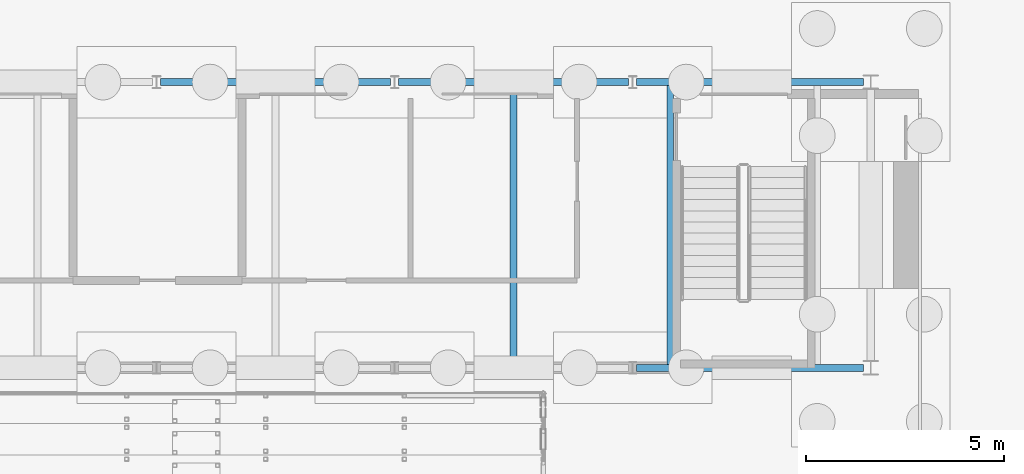
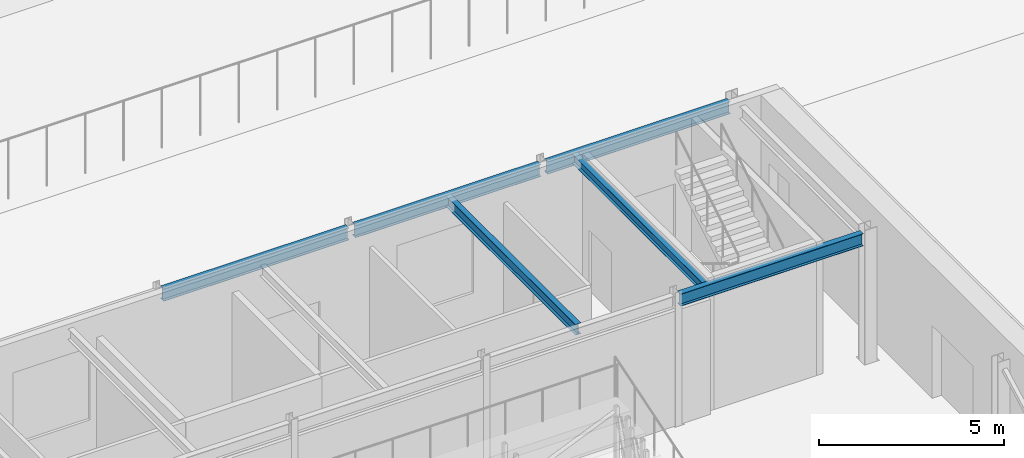
# One storey, part 37 of 139: 6 beams.
"""IFC4 building model written with IfcOpenShell, lengths in metres."""

from ifc_helpers import new_model, si_unit, direction, frame, origin, origin_2d, place, context, subcontext, project, spatial, i_section, extrude, material, material_profile, profile_set, type_object, element, save


model = new_model("IFC4")

# Units and contexts
model_context = context("Model", 3, precision=1e-05, world=origin(), true_north=direction((0.0, 1.0)))
body_context = subcontext(model_context, "Body", "Model", "MODEL_VIEW")
ifc_project = project(units=[si_unit("LENGTHUNIT", "METRE"), si_unit("AREAUNIT", "SQUARE_METRE"), si_unit("VOLUMEUNIT", "CUBIC_METRE"), si_unit("PLANEANGLEUNIT", "RADIAN"), si_unit("MASSUNIT", "GRAM", prefix="KILO")], contexts=[model_context])

# Site, building, storey
site_placement = place(None, origin())
site = spatial("IfcSite", under=ifc_project, at=site_placement, CompositionType="ELEMENT")
building_placement = place(site_placement, origin())
building = spatial("IfcBuilding", under=site, at=building_placement, Name="Verrick Yard Athletic Hall", CompositionType="ELEMENT")
storey_placement = place(building_placement, origin())
storey = spatial("IfcBuildingStorey", under=building, at=storey_placement, Name="L00", CompositionType="ELEMENT", Elevation=0.0)

# Beams
ifc_material = material(Name="Structural steel 350W (CSA G40.21)", Category="steel")
ifc_material_profile_1 = material_profile(ifc_material, i_section(OverallWidth=0.177978515625, OverallDepth=0.406982421875, WebThickness=0.0078125, FlangeThickness=0.0126953125, at=origin_2d()), Name="W410x60")
ifc_profile_set_1 = profile_set([ifc_material_profile_1], Name="Structural steel 350W (CSA G40.21)")
beam_type_1 = type_object("IfcBeamType", Name="HB girder W410x60", PredefinedType="BEAM", material=ifc_profile_set_1)
beam_1_placement = place(storey_placement, frame((70.1025390625, 100.800048828125, 4.04638671875), z_axis=(1.0, 0.0, 0.0), x_axis=(0.0, 1.0, 0.0)))
element("IfcBeam", 1, at=beam_1_placement, inside=storey, type_object=beam_type_1, Name="HB-GB-B-L01-S8", PredefinedType="BEAM", context=body_context, shape_type="SweptSolid", body=[
    extrude(i_section(OverallWidth=0.177978515625, OverallDepth=0.406982421875, WebThickness=0.0078125, FlangeThickness=0.0126953125, at=origin_2d()), origin(), (0.0, 0.0, 1.0), 5.712890625),
])
for number, where, z_axis, x_axis, name in (
    (2, (58.1025390625, 108.0, 4.04638671875), (1.0, 0.0, 0.0), (0.0, 1.0, 0.0), "HB-GB-B-L01-N6"),
    (3, (64.1025390625, 108.0, 4.04638671875), (1.0, 0.0, 0.0), (0.0, 1.0, 0.0), "HB-GB-B-L01-N7"),
):
    element("IfcBeam", number, at=place(storey_placement, frame(where, z_axis=z_axis, x_axis=x_axis)), inside=storey, type_object=beam_type_1, Name=name, PredefinedType="BEAM", context=body_context, shape_type="SweptSolid", body=[
        extrude(i_section(OverallWidth=0.177978515625, OverallDepth=0.406982421875, WebThickness=0.0078125, FlangeThickness=0.0126953125, at=origin_2d()), origin(), (0.0, 0.0, 1.0), 5.794921875),
    ])
beam_2_placement = place(storey_placement, frame((70.1025390625, 108.0, 4.04638671875), z_axis=(1.0, 0.0, 0.0), x_axis=(0.0, 1.0, 0.0)))
element("IfcBeam", 4, at=beam_2_placement, inside=storey, type_object=beam_type_1, Name="HB-GB-B-L01-N8", PredefinedType="BEAM", context=body_context, shape_type="SweptSolid", body=[
    extrude(i_section(OverallWidth=0.177978515625, OverallDepth=0.406982421875, WebThickness=0.0078125, FlangeThickness=0.0126953125, at=origin_2d()), origin(), (0.0, 0.0, 1.0), 5.712890625),
])
ifc_material_profile_2 = material_profile(ifc_material, i_section(OverallWidth=0.1708984375, OverallDepth=0.35498046875, WebThickness=0.007080078125, FlangeThickness=0.01171875, at=origin_2d()), Name="W360x51")
ifc_profile_set_2 = profile_set([ifc_material_profile_2], Name="Structural steel 350W (CSA G40.21)")
beam_type_2 = type_object("IfcBeamType", Name="HB secondary beam W360x51", PredefinedType="JOIST", material=ifc_profile_set_2)
beam_3_placement = place(storey_placement, frame((67.0, 100.888916015625, 4.072509765625), z_axis=(0.0, 1.0, 0.0), x_axis=(-1.0, 0.0, 0.0)))
element("IfcBeam", 5, at=beam_3_placement, inside=storey, type_object=beam_type_2, Name="HB-SB-B-L01-7", PredefinedType="JOIST", context=body_context, shape_type="SweptSolid", body=[
    extrude(i_section(OverallWidth=0.1708984375, OverallDepth=0.35498046875, WebThickness=0.007080078125, FlangeThickness=0.01171875, at=origin_2d()), origin(), (0.0, 0.0, 1.0), 7.02197265625),
])
ifc_material_profile_3 = material_profile(ifc_material, i_section(OverallWidth=0.1650390625, OverallDepth=0.31005859375, WebThickness=0.005859375, FlangeThickness=0.009765625, at=origin_2d()), Name="W310x39")
ifc_profile_set_3 = profile_set([ifc_material_profile_3], Name="Structural steel 350W (CSA G40.21)")
beam_type_3 = type_object("IfcBeamType", Name="HB trimmer beam W310x39", PredefinedType="BEAM", material=ifc_profile_set_3)
beam_4_placement = place(storey_placement, frame((70.949951171875, 100.888916015625, 4.094970703125), z_axis=(0.0, 1.0, 0.0), x_axis=(-1.0, 0.0, 0.0)))
element("IfcBeam", 6, at=beam_4_placement, inside=storey, type_object=beam_type_3, Name="HB-TB-B-2a", PredefinedType="BEAM", context=body_context, shape_type="SweptSolid", body=[
    extrude(i_section(OverallWidth=0.1650390625, OverallDepth=0.31005859375, WebThickness=0.005859375, FlangeThickness=0.009765625, at=origin_2d()), origin(), (0.0, 0.0, 1.0), 7.02197265625),
])

save(model, "model.ifc")
